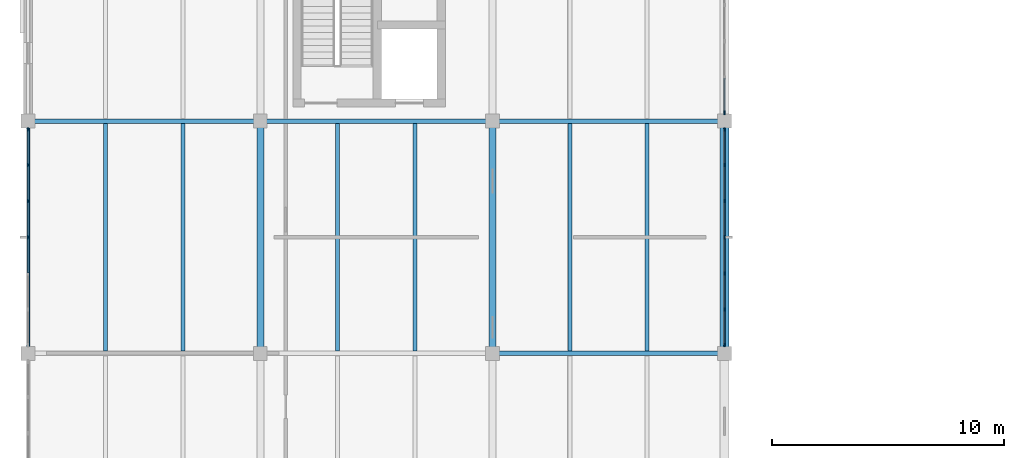
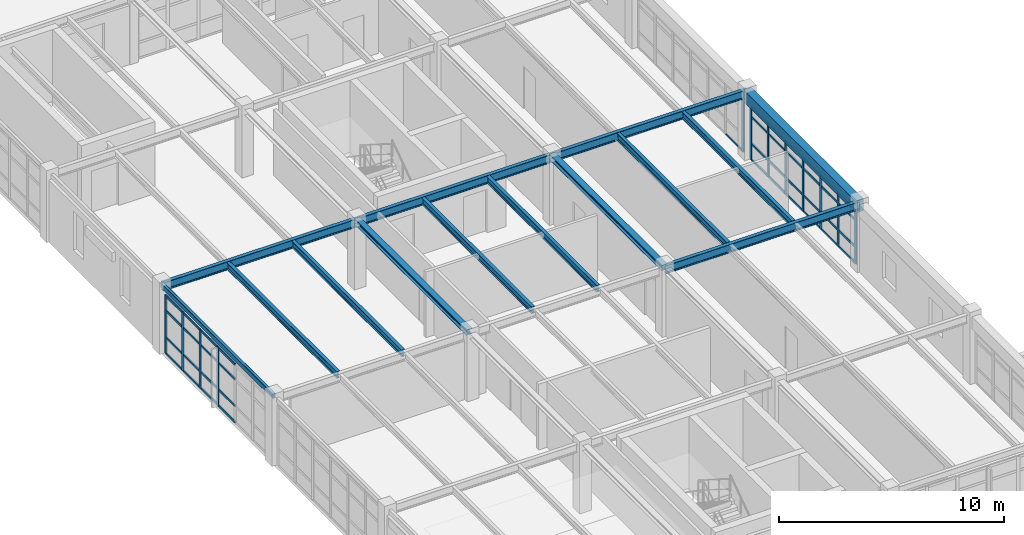
# One storey, part 9 of 23: 53 members, 14 beams, 3 elements without a shape of their own.
"""IFC4 building model written with IfcOpenShell, lengths in metres."""

from ifc_helpers import new_model, si_unit, direction, frame, origin, origin_2d, place, context, subcontext, project, spatial, rectangle, hollow_rectangle, i_section, extrude, material, layer, layer_set, material_profile, profile_set, type_object, element, aggregate, save


model = new_model("IFC4")

# Units and contexts
model_context = context("Model", 3, precision=1e-05, world=origin(), true_north=direction((0.0, 1.0)))
body_context = subcontext(model_context, "Body", "Model", "MODEL_VIEW")
ifc_project = project(units=[si_unit("LENGTHUNIT", "METRE"), si_unit("AREAUNIT", "SQUARE_METRE"), si_unit("VOLUMEUNIT", "CUBIC_METRE"), si_unit("PLANEANGLEUNIT", "RADIAN"), si_unit("MASSUNIT", "GRAM", prefix="KILO"), si_unit("THERMODYNAMICTEMPERATUREUNIT", "KELVIN"), si_unit("POWERUNIT", "WATT")], contexts=[model_context])

# Site, building, storey
site_placement = place(None, origin())
site = spatial("IfcSite", under=ifc_project, at=site_placement, CompositionType="ELEMENT")
building_placement = place(site_placement, origin())
building = spatial("IfcBuilding", under=site, at=building_placement, Name="Korenveer Ferry Terminal", CompositionType="ELEMENT")
storey_placement = place(building_placement, frame((0.0, 0.0, 14.39990234375)))
storey = spatial("IfcBuildingStorey", under=building, at=storey_placement, Name="L03", CompositionType="ELEMENT", Elevation=14.39990234375)

# Curtain wall, members
ifc_material_1 = material(Name="Unitised bronze-and-glass curtain wall", Category="glass")
ifc_layer_1 = layer(ifc_material_1, 0.159912109375)
ifc_layer_set_1 = layer_set([ifc_layer_1], Name="Unitised bronze-and-glass curtain wall")
curtain_wall_type_1 = type_object("IfcCurtainWallType", Name="ENV-CW-109", PredefinedType="USERDEFINED", material=ifc_layer_set_1)
curtain_wall_1_placement = place(storey_placement, frame((0.0, 40.330078125, 0.0)))
curtain_wall_1 = element("IfcCurtainWall", 1, at=curtain_wall_1_placement, inside=storey, type_object=curtain_wall_type_1, Name="Lancet curtain wall CWX-L03-X0-0-Y40-50", ObjectType="UNITISED CURTAIN WALL", PredefinedType="USERDEFINED")
ifc_material_2 = material(Name="Anodised bronze aluminium", Category="aluminium")
ifc_material_profile_1 = material_profile(ifc_material_2, rectangle(XDim=0.06005859375, YDim=0.159912109375, at=origin_2d()), Name="ALU 60x160")
ifc_profile_set_1 = profile_set([ifc_material_profile_1], Name="Anodised bronze aluminium")
member_type_1 = type_object("IfcMemberType", Name="ENV-CWM-60X160", PredefinedType="MULLION", material=ifc_profile_set_1)
member_1_placement = place(storey_placement, frame((0.0, 45.0, 0.0), z_axis=(0.0, 0.0, 1.0), x_axis=(-1.0, 0.0, 0.0)))
member_1 = element("IfcMember", 2, at=member_1_placement, type_object=member_type_1, Name="CW-109 mullion 4", PredefinedType="MULLION", context=body_context, shape_type="SweptSolid", body=[
    extrude(rectangle(XDim=0.06005859375, YDim=0.159912109375, at=origin_2d()), origin(), (0.0, 0.0, 1.0), 3.170166015625),
])
member_2_placement = place(storey_placement, frame((0.0, 46.556640625, 0.0), z_axis=(0.0, 0.0, 1.0), x_axis=(-1.0, 0.0, 0.0)))
member_2 = element("IfcMember", 3, at=member_2_placement, type_object=member_type_1, Name="CW-109 mullion 5", PredefinedType="MULLION", context=body_context, shape_type="SweptSolid", body=[
    extrude(rectangle(XDim=0.06005859375, YDim=0.159912109375, at=origin_2d()), origin(), (0.0, 0.0, 1.0), 3.170166015625),
])
member_3_placement = place(storey_placement, frame((0.0, 48.11328125, 0.0), z_axis=(0.0, 0.0, 1.0), x_axis=(-1.0, 0.0, 0.0)))
member_3 = element("IfcMember", 4, at=member_3_placement, type_object=member_type_1, Name="CW-109 mullion 6", PredefinedType="MULLION", context=body_context, shape_type="SweptSolid", body=[
    extrude(rectangle(XDim=0.06005859375, YDim=0.159912109375, at=origin_2d()), origin(), (0.0, 0.0, 1.0), 3.170166015625),
])
member_4_placement = place(storey_placement, frame((0.0, 49.639892578125, 0.0), z_axis=(0.0, 0.0, 1.0), x_axis=(-1.0, 0.0, 0.0)))
member_4 = element("IfcMember", 5, at=member_4_placement, type_object=member_type_1, Name="CW-109 mullion 7", PredefinedType="MULLION", context=body_context, shape_type="SweptSolid", body=[
    extrude(rectangle(XDim=0.06005859375, YDim=0.159912109375, at=origin_2d()), origin(), (0.0, 0.0, 1.0), 3.170166015625),
])

ifc_layer_2 = layer(ifc_material_1, 0.159912109375)
ifc_layer_set_2 = layer_set([ifc_layer_2], Name="Unitised bronze-and-glass curtain wall")
curtain_wall_type_2 = type_object("IfcCurtainWallType", Name="ENV-CW-128", PredefinedType="USERDEFINED", material=ifc_layer_set_2)
curtain_wall_2_placement = place(storey_placement, frame((30.0, 49.669921875, 0.0)))
curtain_wall_2 = element("IfcCurtainWall", 6, at=curtain_wall_2_placement, inside=storey, type_object=curtain_wall_type_2, Name="Lancet curtain wall CWX-L03-X30-30-Y40-50", ObjectType="UNITISED CURTAIN WALL", PredefinedType="USERDEFINED")
member_5_placement = place(storey_placement, frame((30.0, 49.639892578125, 0.0), z_axis=(0.0, 0.0, 1.0), x_axis=(1.0, 0.0, 0.0)))
member_5 = element("IfcMember", 7, at=member_5_placement, type_object=member_type_1, Name="CW-128 mullion 1", PredefinedType="MULLION", context=body_context, shape_type="SweptSolid", body=[
    extrude(rectangle(XDim=0.06005859375, YDim=0.159912109375, at=origin_2d()), origin(), (0.0, 0.0, 1.0), 2.8701171875),
])
member_6_placement = place(storey_placement, frame((30.0, 48.11328125, 0.0), z_axis=(0.0, 0.0, 1.0), x_axis=(1.0, 0.0, 0.0)))
member_6 = element("IfcMember", 8, at=member_6_placement, type_object=member_type_1, Name="CW-128 mullion 2", PredefinedType="MULLION", context=body_context, shape_type="SweptSolid", body=[
    extrude(rectangle(XDim=0.06005859375, YDim=0.159912109375, at=origin_2d()), origin(), (0.0, 0.0, 1.0), 2.8701171875),
])
member_7_placement = place(storey_placement, frame((30.0, 46.556640625, 0.0), z_axis=(0.0, 0.0, 1.0), x_axis=(1.0, 0.0, 0.0)))
member_7 = element("IfcMember", 9, at=member_7_placement, type_object=member_type_1, Name="CW-128 mullion 3", PredefinedType="MULLION", context=body_context, shape_type="SweptSolid", body=[
    extrude(rectangle(XDim=0.06005859375, YDim=0.159912109375, at=origin_2d()), origin(), (0.0, 0.0, 1.0), 2.8701171875),
])
member_8_placement = place(storey_placement, frame((30.0, 45.0, 0.0), z_axis=(0.0, 0.0, 1.0), x_axis=(1.0, 0.0, 0.0)))
member_8 = element("IfcMember", 10, at=member_8_placement, type_object=member_type_1, Name="CW-128 mullion 4", PredefinedType="MULLION", context=body_context, shape_type="SweptSolid", body=[
    extrude(rectangle(XDim=0.06005859375, YDim=0.159912109375, at=origin_2d()), origin(), (0.0, 0.0, 1.0), 2.8701171875),
])
member_9_placement = place(storey_placement, frame((30.0, 43.443359375, 0.0), z_axis=(0.0, 0.0, 1.0), x_axis=(1.0, 0.0, 0.0)))
member_9 = element("IfcMember", 11, at=member_9_placement, type_object=member_type_1, Name="CW-128 mullion 5", PredefinedType="MULLION", context=body_context, shape_type="SweptSolid", body=[
    extrude(rectangle(XDim=0.06005859375, YDim=0.159912109375, at=origin_2d()), origin(), (0.0, 0.0, 1.0), 2.8701171875),
])
member_10_placement = place(storey_placement, frame((30.0, 41.88671875, 0.0), z_axis=(0.0, 0.0, 1.0), x_axis=(1.0, 0.0, 0.0)))
member_10 = element("IfcMember", 12, at=member_10_placement, type_object=member_type_1, Name="CW-128 mullion 6", PredefinedType="MULLION", context=body_context, shape_type="SweptSolid", body=[
    extrude(rectangle(XDim=0.06005859375, YDim=0.159912109375, at=origin_2d()), origin(), (0.0, 0.0, 1.0), 2.8701171875),
])
member_11_placement = place(storey_placement, frame((30.0, 40.360107421875, 0.0), z_axis=(0.0, 0.0, 1.0), x_axis=(1.0, 0.0, 0.0)))
member_11 = element("IfcMember", 13, at=member_11_placement, type_object=member_type_1, Name="CW-128 mullion 7", PredefinedType="MULLION", context=body_context, shape_type="SweptSolid", body=[
    extrude(rectangle(XDim=0.06005859375, YDim=0.159912109375, at=origin_2d()), origin(), (0.0, 0.0, 1.0), 2.8701171875),
])

# Curtain wall, member
ifc_layer_3 = layer(ifc_material_1, 0.159912109375)
ifc_layer_set_3 = layer_set([ifc_layer_3], Name="Unitised bronze-and-glass curtain wall")
curtain_wall_type_3 = type_object("IfcCurtainWallType", Name="ENV-CW-127", PredefinedType="USERDEFINED", material=ifc_layer_set_3)
curtain_wall_3_placement = place(storey_placement, frame((30.0, 59.669921875, 0.0)))
curtain_wall_3 = element("IfcCurtainWall", 14, at=curtain_wall_3_placement, inside=storey, type_object=curtain_wall_type_3, Name="Lancet curtain wall CWX-L03-X30-30-Y50-60", ObjectType="UNITISED CURTAIN WALL", PredefinedType="USERDEFINED")
member_12_placement = place(storey_placement, frame((30.0, 50.360107421875, 0.0), z_axis=(0.0, 0.0, 1.0), x_axis=(1.0, 0.0, 0.0)))
member_12 = element("IfcMember", 15, at=member_12_placement, type_object=member_type_1, Name="CW-127 mullion 7", PredefinedType="MULLION", context=body_context, shape_type="SweptSolid", body=[
    extrude(rectangle(XDim=0.06005859375, YDim=0.159912109375, at=origin_2d()), origin(), (0.0, 0.0, 1.0), 2.77001953125),
])

# Member
ifc_material_profile_2 = material_profile(ifc_material_2, rectangle(XDim=0.06005859375, YDim=0.1201171875, at=origin_2d()), Name="ALU 60x120")
ifc_profile_set_2 = profile_set([ifc_material_profile_2], Name="Anodised bronze aluminium")
member_type_2 = type_object("IfcMemberType", Name="ENV-CWT-60X120", PredefinedType="USERDEFINED", material=ifc_profile_set_2)
member_13_placement = place(storey_placement, frame((0.0, 43.473388671875, 0.030029296875), z_axis=(0.0, 1.0, 0.0), x_axis=(-1.0, 0.0, 0.0)))
member_13 = element("IfcMember", 16, at=member_13_placement, type_object=member_type_2, Name="CW-109 transom 3.1", ObjectType="TRANSOM", PredefinedType="USERDEFINED", context=body_context, shape_type="SweptSolid", body=[
    extrude(rectangle(XDim=0.06005859375, YDim=0.1201171875, at=origin_2d()), origin(), (0.0, 0.0, 1.0), 1.49658203125),
])

member_14_placement = place(storey_placement, frame((0.0, 43.473388671875, 0.900146484375), z_axis=(0.0, 1.0, 0.0), x_axis=(-1.0, 0.0, 0.0)))
member_14 = element("IfcMember", 17, at=member_14_placement, type_object=member_type_2, Name="CW-109 transom 3.2", ObjectType="TRANSOM", PredefinedType="USERDEFINED", context=body_context, shape_type="SweptSolid", body=[
    extrude(rectangle(XDim=0.06005859375, YDim=0.1201171875, at=origin_2d()), origin(), (0.0, 0.0, 1.0), 1.49658203125),
])

member_15_placement = place(storey_placement, frame((0.0, 43.473388671875, 2.35009765625), z_axis=(0.0, 1.0, 0.0), x_axis=(-1.0, 0.0, 0.0)))
member_15 = element("IfcMember", 18, at=member_15_placement, type_object=member_type_2, Name="CW-109 transom 3.3", ObjectType="TRANSOM", PredefinedType="USERDEFINED", context=body_context, shape_type="SweptSolid", body=[
    extrude(rectangle(XDim=0.06005859375, YDim=0.1201171875, at=origin_2d()), origin(), (0.0, 0.0, 1.0), 1.49658203125),
])

member_16_placement = place(storey_placement, frame((0.0, 43.473388671875, 3.14013671875), z_axis=(0.0, 1.0, 0.0), x_axis=(-1.0, 0.0, 0.0)))
member_16 = element("IfcMember", 19, at=member_16_placement, type_object=member_type_2, Name="CW-109 transom 3.4", ObjectType="TRANSOM", PredefinedType="USERDEFINED", context=body_context, shape_type="SweptSolid", body=[
    extrude(rectangle(XDim=0.06005859375, YDim=0.1201171875, at=origin_2d()), origin(), (0.0, 0.0, 1.0), 1.49658203125),
])

member_17_placement = place(storey_placement, frame((0.0, 45.030029296875, 0.030029296875), z_axis=(0.0, 1.0, 0.0), x_axis=(-1.0, 0.0, 0.0)))
member_17 = element("IfcMember", 20, at=member_17_placement, type_object=member_type_2, Name="CW-109 transom 4.1", ObjectType="TRANSOM", PredefinedType="USERDEFINED", context=body_context, shape_type="SweptSolid", body=[
    extrude(rectangle(XDim=0.06005859375, YDim=0.1201171875, at=origin_2d()), origin(), (0.0, 0.0, 1.0), 1.49658203125),
])

member_18_placement = place(storey_placement, frame((0.0, 45.030029296875, 0.900146484375), z_axis=(0.0, 1.0, 0.0), x_axis=(-1.0, 0.0, 0.0)))
member_18 = element("IfcMember", 21, at=member_18_placement, type_object=member_type_2, Name="CW-109 transom 4.2", ObjectType="TRANSOM", PredefinedType="USERDEFINED", context=body_context, shape_type="SweptSolid", body=[
    extrude(rectangle(XDim=0.06005859375, YDim=0.1201171875, at=origin_2d()), origin(), (0.0, 0.0, 1.0), 1.49658203125),
])

member_19_placement = place(storey_placement, frame((0.0, 45.030029296875, 2.35009765625), z_axis=(0.0, 1.0, 0.0), x_axis=(-1.0, 0.0, 0.0)))
member_19 = element("IfcMember", 22, at=member_19_placement, type_object=member_type_2, Name="CW-109 transom 4.3", ObjectType="TRANSOM", PredefinedType="USERDEFINED", context=body_context, shape_type="SweptSolid", body=[
    extrude(rectangle(XDim=0.06005859375, YDim=0.1201171875, at=origin_2d()), origin(), (0.0, 0.0, 1.0), 1.49658203125),
])

member_20_placement = place(storey_placement, frame((0.0, 45.030029296875, 3.14013671875), z_axis=(0.0, 1.0, 0.0), x_axis=(-1.0, 0.0, 0.0)))
member_20 = element("IfcMember", 23, at=member_20_placement, type_object=member_type_2, Name="CW-109 transom 4.4", ObjectType="TRANSOM", PredefinedType="USERDEFINED", context=body_context, shape_type="SweptSolid", body=[
    extrude(rectangle(XDim=0.06005859375, YDim=0.1201171875, at=origin_2d()), origin(), (0.0, 0.0, 1.0), 1.49658203125),
])

member_21_placement = place(storey_placement, frame((0.0, 46.586669921875, 0.030029296875), z_axis=(0.0, 1.0, 0.0), x_axis=(-1.0, 0.0, 0.0)))
member_21 = element("IfcMember", 24, at=member_21_placement, type_object=member_type_2, Name="CW-109 transom 5.1", ObjectType="TRANSOM", PredefinedType="USERDEFINED", context=body_context, shape_type="SweptSolid", body=[
    extrude(rectangle(XDim=0.06005859375, YDim=0.1201171875, at=origin_2d()), origin(), (0.0, 0.0, 1.0), 1.49658203125),
])

member_22_placement = place(storey_placement, frame((0.0, 46.586669921875, 0.900146484375), z_axis=(0.0, 1.0, 0.0), x_axis=(-1.0, 0.0, 0.0)))
member_22 = element("IfcMember", 25, at=member_22_placement, type_object=member_type_2, Name="CW-109 transom 5.2", ObjectType="TRANSOM", PredefinedType="USERDEFINED", context=body_context, shape_type="SweptSolid", body=[
    extrude(rectangle(XDim=0.06005859375, YDim=0.1201171875, at=origin_2d()), origin(), (0.0, 0.0, 1.0), 1.49658203125),
])

member_23_placement = place(storey_placement, frame((0.0, 46.586669921875, 2.35009765625), z_axis=(0.0, 1.0, 0.0), x_axis=(-1.0, 0.0, 0.0)))
member_23 = element("IfcMember", 26, at=member_23_placement, type_object=member_type_2, Name="CW-109 transom 5.3", ObjectType="TRANSOM", PredefinedType="USERDEFINED", context=body_context, shape_type="SweptSolid", body=[
    extrude(rectangle(XDim=0.06005859375, YDim=0.1201171875, at=origin_2d()), origin(), (0.0, 0.0, 1.0), 1.49658203125),
])

member_24_placement = place(storey_placement, frame((0.0, 46.586669921875, 3.14013671875), z_axis=(0.0, 1.0, 0.0), x_axis=(-1.0, 0.0, 0.0)))
member_24 = element("IfcMember", 27, at=member_24_placement, type_object=member_type_2, Name="CW-109 transom 5.4", ObjectType="TRANSOM", PredefinedType="USERDEFINED", context=body_context, shape_type="SweptSolid", body=[
    extrude(rectangle(XDim=0.06005859375, YDim=0.1201171875, at=origin_2d()), origin(), (0.0, 0.0, 1.0), 1.49658203125),
])

member_25_placement = place(storey_placement, frame((0.0, 48.143310546875, 0.030029296875), z_axis=(0.0, 1.0, 0.0), x_axis=(-1.0, 0.0, 0.0)))
member_25 = element("IfcMember", 28, at=member_25_placement, type_object=member_type_2, Name="CW-109 transom 6.1", ObjectType="TRANSOM", PredefinedType="USERDEFINED", context=body_context, shape_type="SweptSolid", body=[
    extrude(rectangle(XDim=0.06005859375, YDim=0.1201171875, at=origin_2d()), origin(), (0.0, 0.0, 1.0), 1.466796875),
])

member_26_placement = place(storey_placement, frame((0.0, 48.143310546875, 0.900146484375), z_axis=(0.0, 1.0, 0.0), x_axis=(-1.0, 0.0, 0.0)))
member_26 = element("IfcMember", 29, at=member_26_placement, type_object=member_type_2, Name="CW-109 transom 6.2", ObjectType="TRANSOM", PredefinedType="USERDEFINED", context=body_context, shape_type="SweptSolid", body=[
    extrude(rectangle(XDim=0.06005859375, YDim=0.1201171875, at=origin_2d()), origin(), (0.0, 0.0, 1.0), 1.466796875),
])

member_27_placement = place(storey_placement, frame((0.0, 48.143310546875, 2.35009765625), z_axis=(0.0, 1.0, 0.0), x_axis=(-1.0, 0.0, 0.0)))
member_27 = element("IfcMember", 30, at=member_27_placement, type_object=member_type_2, Name="CW-109 transom 6.3", ObjectType="TRANSOM", PredefinedType="USERDEFINED", context=body_context, shape_type="SweptSolid", body=[
    extrude(rectangle(XDim=0.06005859375, YDim=0.1201171875, at=origin_2d()), origin(), (0.0, 0.0, 1.0), 1.466796875),
])

member_28_placement = place(storey_placement, frame((0.0, 48.143310546875, 3.14013671875), z_axis=(0.0, 1.0, 0.0), x_axis=(-1.0, 0.0, 0.0)))
member_28 = element("IfcMember", 31, at=member_28_placement, type_object=member_type_2, Name="CW-109 transom 6.4", ObjectType="TRANSOM", PredefinedType="USERDEFINED", context=body_context, shape_type="SweptSolid", body=[
    extrude(rectangle(XDim=0.06005859375, YDim=0.1201171875, at=origin_2d()), origin(), (0.0, 0.0, 1.0), 1.466796875),
])

aggregate(curtain_wall_1, [member_1, member_2, member_3, member_4, member_13, member_14, member_15, member_16, member_17, member_18, member_19, member_20, member_21, member_22, member_23, member_24, member_25, member_26, member_27, member_28])

member_29_placement = place(storey_placement, frame((30.0, 49.610107421875, 0.030029296875), z_axis=(0.0, -1.0, 0.0), x_axis=(1.0, 0.0, 0.0)))
member_29 = element("IfcMember", 32, at=member_29_placement, type_object=member_type_2, Name="CW-128 transom 1.1", ObjectType="TRANSOM", PredefinedType="USERDEFINED", context=body_context, shape_type="SweptSolid", body=[
    extrude(rectangle(XDim=0.06005859375, YDim=0.1201171875, at=origin_2d()), origin(), (0.0, 0.0, 1.0), 1.466796875),
])

member_30_placement = place(storey_placement, frame((30.0, 49.610107421875, 0.900146484375), z_axis=(0.0, -1.0, 0.0), x_axis=(1.0, 0.0, 0.0)))
member_30 = element("IfcMember", 33, at=member_30_placement, type_object=member_type_2, Name="CW-128 transom 1.2", ObjectType="TRANSOM", PredefinedType="USERDEFINED", context=body_context, shape_type="SweptSolid", body=[
    extrude(rectangle(XDim=0.06005859375, YDim=0.1201171875, at=origin_2d()), origin(), (0.0, 0.0, 1.0), 1.466796875),
])

member_31_placement = place(storey_placement, frame((30.0, 49.610107421875, 2.35009765625), z_axis=(0.0, -1.0, 0.0), x_axis=(1.0, 0.0, 0.0)))
member_31 = element("IfcMember", 34, at=member_31_placement, type_object=member_type_2, Name="CW-128 transom 1.3", ObjectType="TRANSOM", PredefinedType="USERDEFINED", context=body_context, shape_type="SweptSolid", body=[
    extrude(rectangle(XDim=0.06005859375, YDim=0.1201171875, at=origin_2d()), origin(), (0.0, 0.0, 1.0), 1.466796875),
])

member_32_placement = place(storey_placement, frame((30.0, 49.610107421875, 2.840087890625), z_axis=(0.0, -1.0, 0.0), x_axis=(1.0, 0.0, 0.0)))
member_32 = element("IfcMember", 35, at=member_32_placement, type_object=member_type_2, Name="CW-128 transom 1.4", ObjectType="TRANSOM", PredefinedType="USERDEFINED", context=body_context, shape_type="SweptSolid", body=[
    extrude(rectangle(XDim=0.06005859375, YDim=0.1201171875, at=origin_2d()), origin(), (0.0, 0.0, 1.0), 1.466796875),
])

member_33_placement = place(storey_placement, frame((30.0, 48.083251953125, 0.030029296875), z_axis=(0.0, -1.0, 0.0), x_axis=(1.0, 0.0, 0.0)))
member_33 = element("IfcMember", 36, at=member_33_placement, type_object=member_type_2, Name="CW-128 transom 2.1", ObjectType="TRANSOM", PredefinedType="USERDEFINED", context=body_context, shape_type="SweptSolid", body=[
    extrude(rectangle(XDim=0.06005859375, YDim=0.1201171875, at=origin_2d()), origin(), (0.0, 0.0, 1.0), 1.49658203125),
])

member_34_placement = place(storey_placement, frame((30.0, 48.083251953125, 0.900146484375), z_axis=(0.0, -1.0, 0.0), x_axis=(1.0, 0.0, 0.0)))
member_34 = element("IfcMember", 37, at=member_34_placement, type_object=member_type_2, Name="CW-128 transom 2.2", ObjectType="TRANSOM", PredefinedType="USERDEFINED", context=body_context, shape_type="SweptSolid", body=[
    extrude(rectangle(XDim=0.06005859375, YDim=0.1201171875, at=origin_2d()), origin(), (0.0, 0.0, 1.0), 1.49658203125),
])

member_35_placement = place(storey_placement, frame((30.0, 48.083251953125, 2.35009765625), z_axis=(0.0, -1.0, 0.0), x_axis=(1.0, 0.0, 0.0)))
member_35 = element("IfcMember", 38, at=member_35_placement, type_object=member_type_2, Name="CW-128 transom 2.3", ObjectType="TRANSOM", PredefinedType="USERDEFINED", context=body_context, shape_type="SweptSolid", body=[
    extrude(rectangle(XDim=0.06005859375, YDim=0.1201171875, at=origin_2d()), origin(), (0.0, 0.0, 1.0), 1.49658203125),
])

member_36_placement = place(storey_placement, frame((30.0, 48.083251953125, 2.840087890625), z_axis=(0.0, -1.0, 0.0), x_axis=(1.0, 0.0, 0.0)))
member_36 = element("IfcMember", 39, at=member_36_placement, type_object=member_type_2, Name="CW-128 transom 2.4", ObjectType="TRANSOM", PredefinedType="USERDEFINED", context=body_context, shape_type="SweptSolid", body=[
    extrude(rectangle(XDim=0.06005859375, YDim=0.1201171875, at=origin_2d()), origin(), (0.0, 0.0, 1.0), 1.49658203125),
])

member_37_placement = place(storey_placement, frame((30.0, 46.526611328125, 0.030029296875), z_axis=(0.0, -1.0, 0.0), x_axis=(1.0, 0.0, 0.0)))
member_37 = element("IfcMember", 40, at=member_37_placement, type_object=member_type_2, Name="CW-128 transom 3.1", ObjectType="TRANSOM", PredefinedType="USERDEFINED", context=body_context, shape_type="SweptSolid", body=[
    extrude(rectangle(XDim=0.06005859375, YDim=0.1201171875, at=origin_2d()), origin(), (0.0, 0.0, 1.0), 1.49658203125),
])

member_38_placement = place(storey_placement, frame((30.0, 46.526611328125, 0.900146484375), z_axis=(0.0, -1.0, 0.0), x_axis=(1.0, 0.0, 0.0)))
member_38 = element("IfcMember", 41, at=member_38_placement, type_object=member_type_2, Name="CW-128 transom 3.2", ObjectType="TRANSOM", PredefinedType="USERDEFINED", context=body_context, shape_type="SweptSolid", body=[
    extrude(rectangle(XDim=0.06005859375, YDim=0.1201171875, at=origin_2d()), origin(), (0.0, 0.0, 1.0), 1.49658203125),
])

member_39_placement = place(storey_placement, frame((30.0, 46.526611328125, 2.35009765625), z_axis=(0.0, -1.0, 0.0), x_axis=(1.0, 0.0, 0.0)))
member_39 = element("IfcMember", 42, at=member_39_placement, type_object=member_type_2, Name="CW-128 transom 3.3", ObjectType="TRANSOM", PredefinedType="USERDEFINED", context=body_context, shape_type="SweptSolid", body=[
    extrude(rectangle(XDim=0.06005859375, YDim=0.1201171875, at=origin_2d()), origin(), (0.0, 0.0, 1.0), 1.49658203125),
])

member_40_placement = place(storey_placement, frame((30.0, 46.526611328125, 2.840087890625), z_axis=(0.0, -1.0, 0.0), x_axis=(1.0, 0.0, 0.0)))
member_40 = element("IfcMember", 43, at=member_40_placement, type_object=member_type_2, Name="CW-128 transom 3.4", ObjectType="TRANSOM", PredefinedType="USERDEFINED", context=body_context, shape_type="SweptSolid", body=[
    extrude(rectangle(XDim=0.06005859375, YDim=0.1201171875, at=origin_2d()), origin(), (0.0, 0.0, 1.0), 1.49658203125),
])

member_41_placement = place(storey_placement, frame((30.0, 44.969970703125, 0.030029296875), z_axis=(0.0, -1.0, 0.0), x_axis=(1.0, 0.0, 0.0)))
member_41 = element("IfcMember", 44, at=member_41_placement, type_object=member_type_2, Name="CW-128 transom 4.1", ObjectType="TRANSOM", PredefinedType="USERDEFINED", context=body_context, shape_type="SweptSolid", body=[
    extrude(rectangle(XDim=0.06005859375, YDim=0.1201171875, at=origin_2d()), origin(), (0.0, 0.0, 1.0), 1.49658203125),
])

member_42_placement = place(storey_placement, frame((30.0, 44.969970703125, 0.900146484375), z_axis=(0.0, -1.0, 0.0), x_axis=(1.0, 0.0, 0.0)))
member_42 = element("IfcMember", 45, at=member_42_placement, type_object=member_type_2, Name="CW-128 transom 4.2", ObjectType="TRANSOM", PredefinedType="USERDEFINED", context=body_context, shape_type="SweptSolid", body=[
    extrude(rectangle(XDim=0.06005859375, YDim=0.1201171875, at=origin_2d()), origin(), (0.0, 0.0, 1.0), 1.49658203125),
])

member_43_placement = place(storey_placement, frame((30.0, 44.969970703125, 2.35009765625), z_axis=(0.0, -1.0, 0.0), x_axis=(1.0, 0.0, 0.0)))
member_43 = element("IfcMember", 46, at=member_43_placement, type_object=member_type_2, Name="CW-128 transom 4.3", ObjectType="TRANSOM", PredefinedType="USERDEFINED", context=body_context, shape_type="SweptSolid", body=[
    extrude(rectangle(XDim=0.06005859375, YDim=0.1201171875, at=origin_2d()), origin(), (0.0, 0.0, 1.0), 1.49658203125),
])

member_44_placement = place(storey_placement, frame((30.0, 44.969970703125, 2.840087890625), z_axis=(0.0, -1.0, 0.0), x_axis=(1.0, 0.0, 0.0)))
member_44 = element("IfcMember", 47, at=member_44_placement, type_object=member_type_2, Name="CW-128 transom 4.4", ObjectType="TRANSOM", PredefinedType="USERDEFINED", context=body_context, shape_type="SweptSolid", body=[
    extrude(rectangle(XDim=0.06005859375, YDim=0.1201171875, at=origin_2d()), origin(), (0.0, 0.0, 1.0), 1.49658203125),
])

member_45_placement = place(storey_placement, frame((30.0, 43.413330078125, 0.030029296875), z_axis=(0.0, -1.0, 0.0), x_axis=(1.0, 0.0, 0.0)))
member_45 = element("IfcMember", 48, at=member_45_placement, type_object=member_type_2, Name="CW-128 transom 5.1", ObjectType="TRANSOM", PredefinedType="USERDEFINED", context=body_context, shape_type="SweptSolid", body=[
    extrude(rectangle(XDim=0.06005859375, YDim=0.1201171875, at=origin_2d()), origin(), (0.0, 0.0, 1.0), 1.49658203125),
])

member_46_placement = place(storey_placement, frame((30.0, 43.413330078125, 0.900146484375), z_axis=(0.0, -1.0, 0.0), x_axis=(1.0, 0.0, 0.0)))
member_46 = element("IfcMember", 49, at=member_46_placement, type_object=member_type_2, Name="CW-128 transom 5.2", ObjectType="TRANSOM", PredefinedType="USERDEFINED", context=body_context, shape_type="SweptSolid", body=[
    extrude(rectangle(XDim=0.06005859375, YDim=0.1201171875, at=origin_2d()), origin(), (0.0, 0.0, 1.0), 1.49658203125),
])

member_47_placement = place(storey_placement, frame((30.0, 43.413330078125, 2.35009765625), z_axis=(0.0, -1.0, 0.0), x_axis=(1.0, 0.0, 0.0)))
member_47 = element("IfcMember", 50, at=member_47_placement, type_object=member_type_2, Name="CW-128 transom 5.3", ObjectType="TRANSOM", PredefinedType="USERDEFINED", context=body_context, shape_type="SweptSolid", body=[
    extrude(rectangle(XDim=0.06005859375, YDim=0.1201171875, at=origin_2d()), origin(), (0.0, 0.0, 1.0), 1.49658203125),
])

member_48_placement = place(storey_placement, frame((30.0, 43.413330078125, 2.840087890625), z_axis=(0.0, -1.0, 0.0), x_axis=(1.0, 0.0, 0.0)))
member_48 = element("IfcMember", 51, at=member_48_placement, type_object=member_type_2, Name="CW-128 transom 5.4", ObjectType="TRANSOM", PredefinedType="USERDEFINED", context=body_context, shape_type="SweptSolid", body=[
    extrude(rectangle(XDim=0.06005859375, YDim=0.1201171875, at=origin_2d()), origin(), (0.0, 0.0, 1.0), 1.49658203125),
])

member_49_placement = place(storey_placement, frame((30.0, 41.856689453125, 0.030029296875), z_axis=(0.0, -1.0, 0.0), x_axis=(1.0, 0.0, 0.0)))
member_49 = element("IfcMember", 52, at=member_49_placement, type_object=member_type_2, Name="CW-128 transom 6.1", ObjectType="TRANSOM", PredefinedType="USERDEFINED", context=body_context, shape_type="SweptSolid", body=[
    extrude(rectangle(XDim=0.06005859375, YDim=0.1201171875, at=origin_2d()), origin(), (0.0, 0.0, 1.0), 1.466796875),
])

member_50_placement = place(storey_placement, frame((30.0, 41.856689453125, 0.900146484375), z_axis=(0.0, -1.0, 0.0), x_axis=(1.0, 0.0, 0.0)))
member_50 = element("IfcMember", 53, at=member_50_placement, type_object=member_type_2, Name="CW-128 transom 6.2", ObjectType="TRANSOM", PredefinedType="USERDEFINED", context=body_context, shape_type="SweptSolid", body=[
    extrude(rectangle(XDim=0.06005859375, YDim=0.1201171875, at=origin_2d()), origin(), (0.0, 0.0, 1.0), 1.466796875),
])

member_51_placement = place(storey_placement, frame((30.0, 41.856689453125, 2.35009765625), z_axis=(0.0, -1.0, 0.0), x_axis=(1.0, 0.0, 0.0)))
member_51 = element("IfcMember", 54, at=member_51_placement, type_object=member_type_2, Name="CW-128 transom 6.3", ObjectType="TRANSOM", PredefinedType="USERDEFINED", context=body_context, shape_type="SweptSolid", body=[
    extrude(rectangle(XDim=0.06005859375, YDim=0.1201171875, at=origin_2d()), origin(), (0.0, 0.0, 1.0), 1.466796875),
])

member_52_placement = place(storey_placement, frame((30.0, 41.856689453125, 2.840087890625), z_axis=(0.0, -1.0, 0.0), x_axis=(1.0, 0.0, 0.0)))
member_52 = element("IfcMember", 55, at=member_52_placement, type_object=member_type_2, Name="CW-128 transom 6.4", ObjectType="TRANSOM", PredefinedType="USERDEFINED", context=body_context, shape_type="SweptSolid", body=[
    extrude(rectangle(XDim=0.06005859375, YDim=0.1201171875, at=origin_2d()), origin(), (0.0, 0.0, 1.0), 1.466796875),
])

aggregate(curtain_wall_2, [member_5, member_6, member_7, member_8, member_9, member_10, member_11, member_29, member_30, member_31, member_32, member_33, member_34, member_35, member_36, member_37, member_38, member_39, member_40, member_41, member_42, member_43, member_44, member_45, member_46, member_47, member_48, member_49, member_50, member_51, member_52])

member_53_placement = place(storey_placement, frame((30.0, 51.856689453125, 0.030029296875), z_axis=(0.0, -1.0, 0.0), x_axis=(1.0, 0.0, 0.0)))
member_53 = element("IfcMember", 56, at=member_53_placement, type_object=member_type_2, Name="CW-127 transom 6.1", ObjectType="TRANSOM", PredefinedType="USERDEFINED", context=body_context, shape_type="SweptSolid", body=[
    extrude(rectangle(XDim=0.06005859375, YDim=0.1201171875, at=origin_2d()), origin(), (0.0, 0.0, 1.0), 1.466796875),
])

aggregate(curtain_wall_3, [member_12, member_53])

# Beams
ifc_material_3 = material(Name="Steel S355", Category="steel")
ifc_material_profile_3 = material_profile(ifc_material_3, i_section(OverallWidth=0.300048828125, OverallDepth=0.2900390625, WebThickness=0.008544921875, FlangeThickness=0.013916015625, FilletRadius=0.027099609375, at=origin_2d()), Name="HEA 300")
ifc_profile_set_3 = profile_set([ifc_material_profile_3], Name="Steel S355")
beam_type_1 = type_object("IfcBeamType", Name="STR-BM-HEA300", PredefinedType="BEAM", material=ifc_profile_set_3)
for number, where, z_axis, x_axis, name in (
    (57, (10.0, 40.02001953125, 3.505126953125), (0.0, 1.0, 0.0), (-1.0, 0.0, 0.0), "Primary Y girder BMY-L04-X10-Y40-50"),
    (58, (20.0, 40.02001953125, 3.505126953125), (0.0, 1.0, 0.0), (-1.0, 0.0, 0.0), "Primary Y girder BMY-L04-X20-Y40-50"),
):
    element("IfcBeam", number, at=place(storey_placement, frame(where, z_axis=z_axis, x_axis=x_axis)), inside=storey, type_object=beam_type_1, Name=name, PredefinedType="BEAM", context=body_context, shape_type="SweptSolid", body=[
        extrude(i_section(OverallWidth=0.300048828125, OverallDepth=0.2900390625, WebThickness=0.008544921875, FlangeThickness=0.013916015625, FilletRadius=0.027099609375, at=origin_2d()), origin(), (0.0, 0.0, 1.0), 9.9599609375),
    ])
ifc_material_profile_4 = material_profile(ifc_material_3, i_section(OverallWidth=0.18994140625, OverallDepth=0.449951171875, WebThickness=0.009521484375, FlangeThickness=0.0146484375, FilletRadius=0.02099609375, at=origin_2d()), Name="IPE 450")
ifc_profile_set_4 = profile_set([ifc_material_profile_4], Name="Steel S355")
beam_type_2 = type_object("IfcBeamType", Name="STR-BM-IPE450", PredefinedType="BEAM", material=ifc_profile_set_4)
for number, where, z_axis, x_axis, name in (
    (59, (20.02001953125, 40.0, 3.425048828125), (1.0, 0.0, 0.0), (0.0, 1.0, 0.0), "Primary X girder BMX-L04-X20-30-Y40"),
    (60, (0.02001953125, 50.0, 3.425048828125), (1.0, 0.0, 0.0), (0.0, 1.0, 0.0), "Primary X girder BMX-L04-X0-10-Y50"),
    (61, (10.02001953125, 50.0, 3.425048828125), (1.0, 0.0, 0.0), (0.0, 1.0, 0.0), "Primary X girder BMX-L04-X10-20-Y50"),
    (62, (20.02001953125, 50.0, 3.425048828125), (1.0, 0.0, 0.0), (0.0, 1.0, 0.0), "Primary X girder BMX-L04-X20-30-Y50"),
):
    element("IfcBeam", number, at=place(storey_placement, frame(where, z_axis=z_axis, x_axis=x_axis)), inside=storey, type_object=beam_type_2, Name=name, PredefinedType="BEAM", context=body_context, shape_type="SweptSolid", body=[
        extrude(i_section(OverallWidth=0.18994140625, OverallDepth=0.449951171875, WebThickness=0.009521484375, FlangeThickness=0.0146484375, FilletRadius=0.02099609375, at=origin_2d()), origin(), (0.0, 0.0, 1.0), 9.9599609375),
    ])
ifc_material_4 = material(Name="Concrete C40/50", Category="concrete")
ifc_material_profile_5 = material_profile(ifc_material_4, rectangle(XDim=0.39990234375, YDim=0.64990234375, at=origin_2d()), Name="RC 400x650")
ifc_profile_set_5 = profile_set([ifc_material_profile_5], Name="Concrete C40/50")
beam_type_3 = type_object("IfcBeamType", Name="STR-BM-RC400X650", PredefinedType="BEAM", material=ifc_profile_set_5)
beam_1_placement = place(storey_placement, frame((30.0, 40.02001953125, 3.3251953125), z_axis=(0.0, 1.0, 0.0), x_axis=(-1.0, 0.0, 0.0)))
element("IfcBeam", 63, at=beam_1_placement, inside=storey, type_object=beam_type_3, Name="Primary Y girder BMY-L04-X30-Y40-50", PredefinedType="BEAM", context=body_context, shape_type="SweptSolid", body=[
    extrude(rectangle(XDim=0.39990234375, YDim=0.64990234375, at=origin_2d()), origin(), (0.0, 0.0, 1.0), 9.9599609375),
])
ifc_material_profile_6 = material_profile(ifc_material_3, i_section(OverallWidth=0.169921875, OverallDepth=0.360107421875, WebThickness=0.008056640625, FlangeThickness=0.0126953125, FilletRadius=0.01806640625, at=origin_2d()), Name="IPE 360")
ifc_profile_set_6 = profile_set([ifc_material_profile_6], Name="Steel S355")
beam_type_4 = type_object("IfcBeamType", Name="STR-JST-IPE360", PredefinedType="JOIST", material=ifc_profile_set_6)
for number, where, z_axis, x_axis, name in (
    (64, (3.333251953125, 40.10498046875, 3.47021484375), (0.0, 1.0, 0.0), (-1.0, 0.0, 0.0), "Secondary composite joist JST-L04-X33-Y40-50"),
    (65, (6.666748046875, 40.10498046875, 3.47021484375), (0.0, 1.0, 0.0), (-1.0, 0.0, 0.0), "Secondary composite joist JST-L04-X67-Y40-50"),
    (66, (13.333251953125, 40.10498046875, 3.47021484375), (0.0, 1.0, 0.0), (-1.0, 0.0, 0.0), "Secondary composite joist JST-L04-X133-Y40-50"),
    (67, (16.666748046875, 40.10498046875, 3.47021484375), (0.0, 1.0, 0.0), (-1.0, 0.0, 0.0), "Secondary composite joist JST-L04-X167-Y40-50"),
    (68, (23.333251953125, 40.10498046875, 3.47021484375), (0.0, 1.0, 0.0), (-1.0, 0.0, 0.0), "Secondary composite joist JST-L04-X233-Y40-50"),
    (69, (26.666748046875, 40.10498046875, 3.47021484375), (0.0, 1.0, 0.0), (-1.0, 0.0, 0.0), "Secondary composite joist JST-L04-X267-Y40-50"),
):
    element("IfcBeam", number, at=place(storey_placement, frame(where, z_axis=z_axis, x_axis=x_axis)), inside=storey, type_object=beam_type_4, Name=name, PredefinedType="JOIST", context=body_context, shape_type="SweptSolid", body=[
        extrude(i_section(OverallWidth=0.169921875, OverallDepth=0.360107421875, WebThickness=0.008056640625, FlangeThickness=0.0126953125, FilletRadius=0.01806640625, at=origin_2d()), origin(), (0.0, 0.0, 1.0), 9.7900390625),
    ])
ifc_material_profile_7 = material_profile(ifc_material_3, hollow_rectangle(XDim=0.14990234375, YDim=0.25, WallThickness=0.010009765625, InnerFilletRadius=0.010009765625, OuterFilletRadius=0.014892578125, at=origin_2d()), Name="RHS 250x150x10")
ifc_profile_set_7 = profile_set([ifc_material_profile_7], Name="Steel S355")
beam_type_5 = type_object("IfcBeamType", Name="STR-SPD-RHS250", PredefinedType="SPANDREL", material=ifc_profile_set_7)
beam_2_placement = place(storey_placement, frame((0.0, 40.02001953125, 3.525146484375), z_axis=(0.0, 1.0, 0.0), x_axis=(-1.0, 0.0, 0.0)))
element("IfcBeam", 70, at=beam_2_placement, inside=storey, type_object=beam_type_5, Name="Primary Y girder BMY-L04-X0-Y40-50", PredefinedType="SPANDREL", context=body_context, shape_type="SweptSolid", body=[
    extrude(hollow_rectangle(XDim=0.14990234375, YDim=0.25, WallThickness=0.010009765625, InnerFilletRadius=0.010009765625, OuterFilletRadius=0.014892578125, at=origin_2d()), origin(), (0.0, 0.0, 1.0), 9.9599609375),
])

save(model, "model.ifc")
